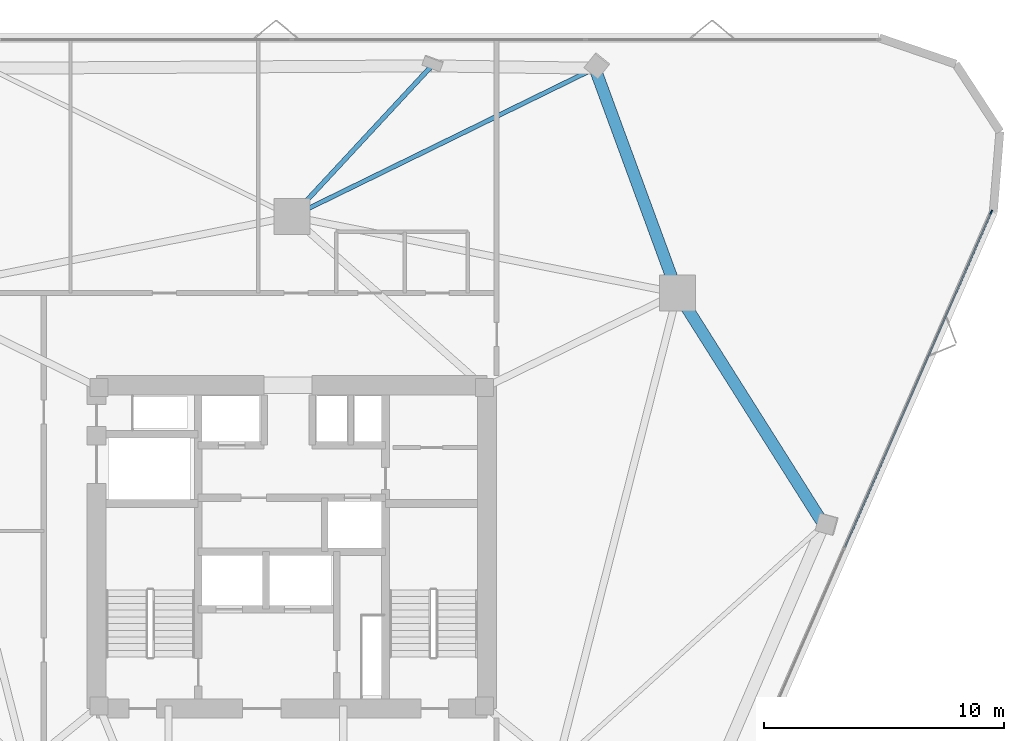
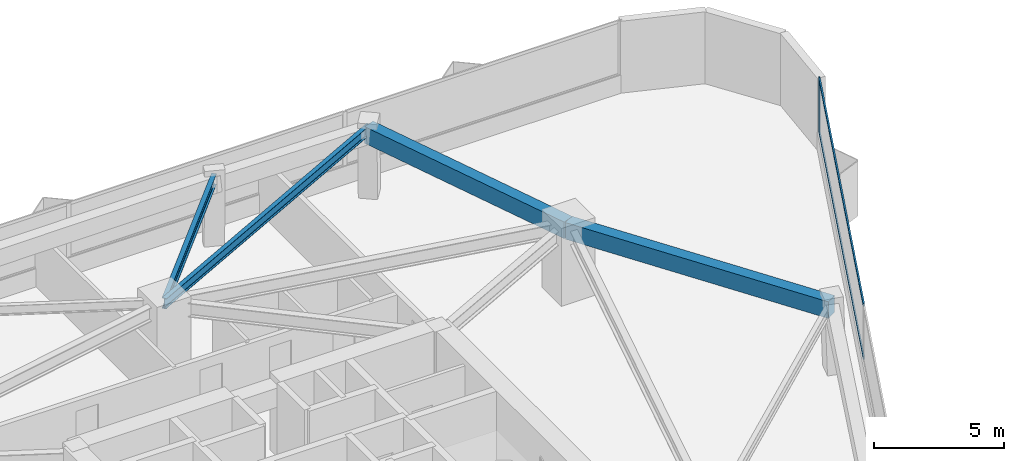
# One storey, part 7 of 15: 4 beams, 3 members, 1 element without a shape of its own.
"""IFC4 building model written with IfcOpenShell, lengths in metres."""

from ifc_helpers import new_model, si_unit, direction, frame, origin, origin_2d, place, context, subcontext, project, spatial, rectangle, i_section, extrude, material, layer, layer_set, material_profile, profile_set, type_object, element, aggregate, save


model = new_model("IFC4")

# Units and contexts
model_context = context("Model", 3, precision=1e-05, world=origin(), true_north=direction((0.0, 1.0)))
body_context = subcontext(model_context, "Body", "Model", "MODEL_VIEW")
ifc_project = project(units=[si_unit("LENGTHUNIT", "METRE"), si_unit("AREAUNIT", "SQUARE_METRE"), si_unit("VOLUMEUNIT", "CUBIC_METRE"), si_unit("PLANEANGLEUNIT", "RADIAN"), si_unit("MASSUNIT", "GRAM", prefix="KILO")], contexts=[model_context])

# Site, building, storey
site_placement = place(None, origin())
site = spatial("IfcSite", under=ifc_project, at=site_placement, CompositionType="ELEMENT")
building_placement = place(site_placement, origin())
building = spatial("IfcBuilding", under=site, at=building_placement, Name="Talyreon Biosciences Tower", CompositionType="ELEMENT")
storey_placement = place(building_placement, frame((0.0, 0.0, 127.199951171875)))
storey = spatial("IfcBuildingStorey", under=building, at=storey_placement, Name="L33", CompositionType="ELEMENT", Elevation=127.199951171875)

# Curtain wall, members
ifc_material_1 = material(Name="Thermally broken aluminium and low-E glazing", Category="aluminium")
ifc_layer = layer(ifc_material_1, 0.18505859375)
ifc_layer_set = layer_set([ifc_layer], Name="Thermally broken aluminium and low-E glazing")
curtain_wall_type = type_object("IfcCurtainWallType", Name="CurtainWall_Zone3Bioprocess", PredefinedType="NOTDEFINED", material=ifc_layer_set)
curtain_wall_placement = place(storey_placement, origin())
curtain_wall = element("IfcCurtainWall", 1, at=curtain_wall_placement, inside=storey, type_object=curtain_wall_type, Name="L33 Unitised Curtain Wall FCW-L33-08", PredefinedType="NOTDEFINED")
ifc_material_2 = material(Name="Anodised thermally broken aluminium", Category="aluminium")
ifc_material_profile_1 = material_profile(ifc_material_2, rectangle(XDim=0.06494140625, YDim=0.179931640625, at=origin_2d()), Name="ALUM MULLION 65x180")
ifc_profile_set_1 = profile_set([ifc_material_profile_1], Name="Anodised thermally broken aluminium")
member_type_1 = type_object("IfcMemberType", Name="CWMullion_65x180", PredefinedType="MULLION", material=ifc_profile_set_1)
member_1_placement = place(storey_placement, frame((95.202392578125, 81.974853515625, 0.81005859375), z_axis=(0.0, 0.0, 1.0), x_axis=(0.916489607057, -0.400058495919, 0.0)))
member_1 = element("IfcMember", 2, at=member_1_placement, type_object=member_type_1, Name="CW4 mullion 1", PredefinedType="MULLION", context=body_context, shape_type="SweptSolid", body=[
    extrude(rectangle(XDim=0.06494140625, YDim=0.179931640625, at=origin_2d()), origin(), (0.0, 0.0, 1.0), 2.56494140625),
])
ifc_material_profile_2 = material_profile(ifc_material_2, rectangle(XDim=0.06494140625, YDim=0.139892578125, at=origin_2d()), Name="ALUM TRANSOM 65x140")
ifc_profile_set_2 = profile_set([ifc_material_profile_2], Name="Anodised thermally broken aluminium")
member_type_2 = type_object("IfcMemberType", Name="CWTransom_65x140", PredefinedType="USERDEFINED", material=ifc_profile_set_2)
member_2_placement = place(storey_placement, frame((95.189453125, 81.945068359375, 0.842529296875), z_axis=(-0.400060037809, -0.916488934002, 0.0), x_axis=(0.916488934002, -0.400060037809, 0.0)))
member_2 = element("IfcMember", 3, at=member_2_placement, type_object=member_type_2, Name="CW4 transom 1.1", ObjectType="TRANSOM", PredefinedType="USERDEFINED", context=body_context, shape_type="SweptSolid", body=[
    extrude(rectangle(XDim=0.06494140625, YDim=0.139892578125, at=origin_2d()), origin(), (0.0, 0.0, 1.0), 15.227294921875),
])
member_3_placement = place(storey_placement, frame((95.189453125, 81.945068359375, 3.342529296875), z_axis=(-0.400060037809, -0.916488934002, 0.0), x_axis=(0.916488934002, -0.400060037809, 0.0)))
member_3 = element("IfcMember", 4, at=member_3_placement, type_object=member_type_2, Name="CW4 transom 1.2", ObjectType="TRANSOM", PredefinedType="USERDEFINED", context=body_context, shape_type="SweptSolid", body=[
    extrude(rectangle(XDim=0.06494140625, YDim=0.139892578125, at=origin_2d()), origin(), (0.0, 0.0, 1.0), 15.227294921875),
])
aggregate(curtain_wall, [member_1, member_2, member_3])

# Beams
ifc_material_3 = material(Name="Precast concrete C45/55", Category="concrete")
ifc_material_profile_3 = material_profile(ifc_material_3, rectangle(XDim=0.5, YDim=0.780029296875, at=origin_2d()), Name="RCB 500x780")
ifc_profile_set_3 = profile_set([ifc_material_profile_3], Name="Precast concrete C45/55")
beam_type_1 = type_object("IfcBeamType", Name="ExpressedSpandrel_500x780", PredefinedType="SPANDREL", material=ifc_profile_set_3)
beam_1_placement = place(storey_placement, frame((88.206298828125, 68.928955078125, 2.985107421875), z_axis=(-0.533795372052, 0.84561368294, 0.0), x_axis=(-0.84561368294, -0.533795372052, 0.0)))
element("IfcBeam", 5, at=beam_1_placement, inside=storey, type_object=beam_type_1, Name="L33 Expressed Horizontal Concrete Spandrel 04", PredefinedType="SPANDREL", context=body_context, shape_type="SweptSolid", body=[
    extrude(rectangle(XDim=0.5, YDim=0.780029296875, at=origin_2d()), origin(), (0.0, 0.0, 1.0), 11.43505859375),
])
beam_2_placement = place(storey_placement, frame((82.102294921875, 78.5986328125, 2.985107421875), z_axis=(-0.3449729328, 0.938612633431, 0.0), x_axis=(-0.938612633431, -0.3449729328, 0.0)))
element("IfcBeam", 6, at=beam_2_placement, inside=storey, type_object=beam_type_1, Name="L33 Expressed Horizontal Concrete Spandrel 05", PredefinedType="SPANDREL", context=body_context, shape_type="SweptSolid", body=[
    extrude(rectangle(XDim=0.5, YDim=0.780029296875, at=origin_2d()), origin(), (0.0, 0.0, 1.0), 9.99560546875),
])
ifc_material_4 = material(Name="Steel SM355", Category="steel")
ifc_material_profile_4 = material_profile(ifc_material_4, i_section(OverallWidth=0.18994140625, OverallDepth=0.449951171875, WebThickness=0.009521484375, FlangeThickness=0.0146484375, FilletRadius=0.02099609375, at=origin_2d()), Name="IPE450")
ifc_profile_set_4 = profile_set([ifc_material_profile_4], Name="Steel SM355")
beam_type_2 = type_object("IfcBeamType", Name="SteelJoist_IPE450", PredefinedType="JOIST", material=ifc_profile_set_4)
beam_3_placement = place(storey_placement, frame((66.0, 81.788818359375, 3.150146484375), z_axis=(0.898231133693, 0.439523412875, 0.0), x_axis=(-0.439523412875, 0.898231133693, 0.0)))
element("IfcBeam", 7, at=beam_3_placement, inside=storey, type_object=beam_type_2, Name="L33 Radial Composite Floor Joist PC-N1", PredefinedType="JOIST", context=body_context, shape_type="SweptSolid", body=[
    extrude(i_section(OverallWidth=0.18994140625, OverallDepth=0.449951171875, WebThickness=0.009521484375, FlangeThickness=0.0146484375, FilletRadius=0.02099609375, at=origin_2d()), origin(), (0.0, 0.0, 1.0), 14.087646484375),
])
ifc_material_profile_5 = material_profile(ifc_material_4, i_section(OverallWidth=0.199951171875, OverallDepth=0.5, WebThickness=0.01025390625, FlangeThickness=0.01611328125, FilletRadius=0.02099609375, at=origin_2d()), Name="IPE500")
ifc_profile_set_5 = profile_set([ifc_material_profile_5], Name="Steel SM355")
beam_type_3 = type_object("IfcBeamType", Name="SteelJoist_IPE500", PredefinedType="JOIST", material=ifc_profile_set_5)
beam_4_placement = place(storey_placement, frame((66.0, 81.788818359375, 3.125), z_axis=(0.680311464505, 0.732923127799, 0.0), x_axis=(-0.732923127799, 0.680311464505, 0.0)))
element("IfcBeam", 8, at=beam_4_placement, inside=storey, type_object=beam_type_3, Name="L33 Radial Composite Floor Joist PL-N", PredefinedType="JOIST", context=body_context, shape_type="SweptSolid", body=[
    extrude(i_section(OverallWidth=0.199951171875, OverallDepth=0.5, WebThickness=0.01025390625, FlangeThickness=0.01611328125, FilletRadius=0.02099609375, at=origin_2d()), origin(), (0.0, 0.0, 1.0), 8.584716796875),
])

save(model, "model.ifc")
